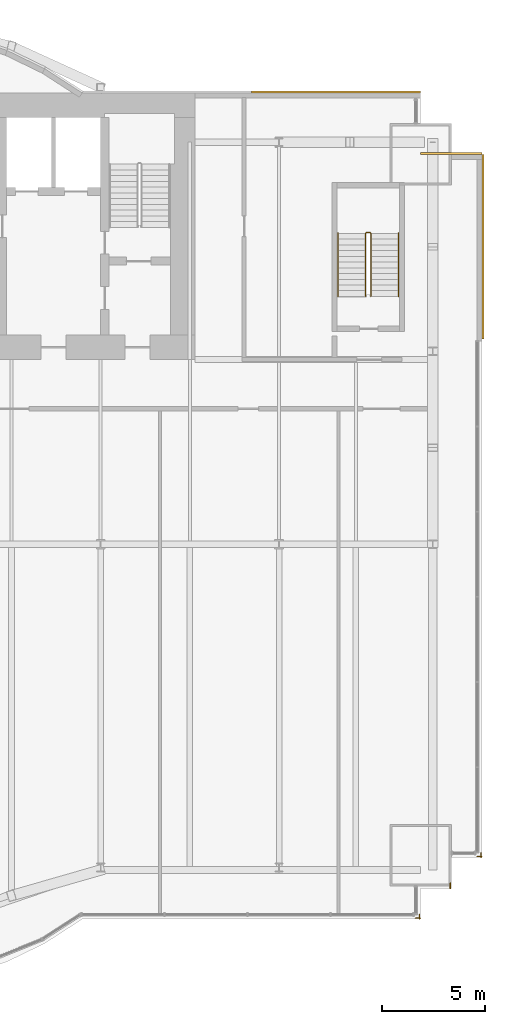
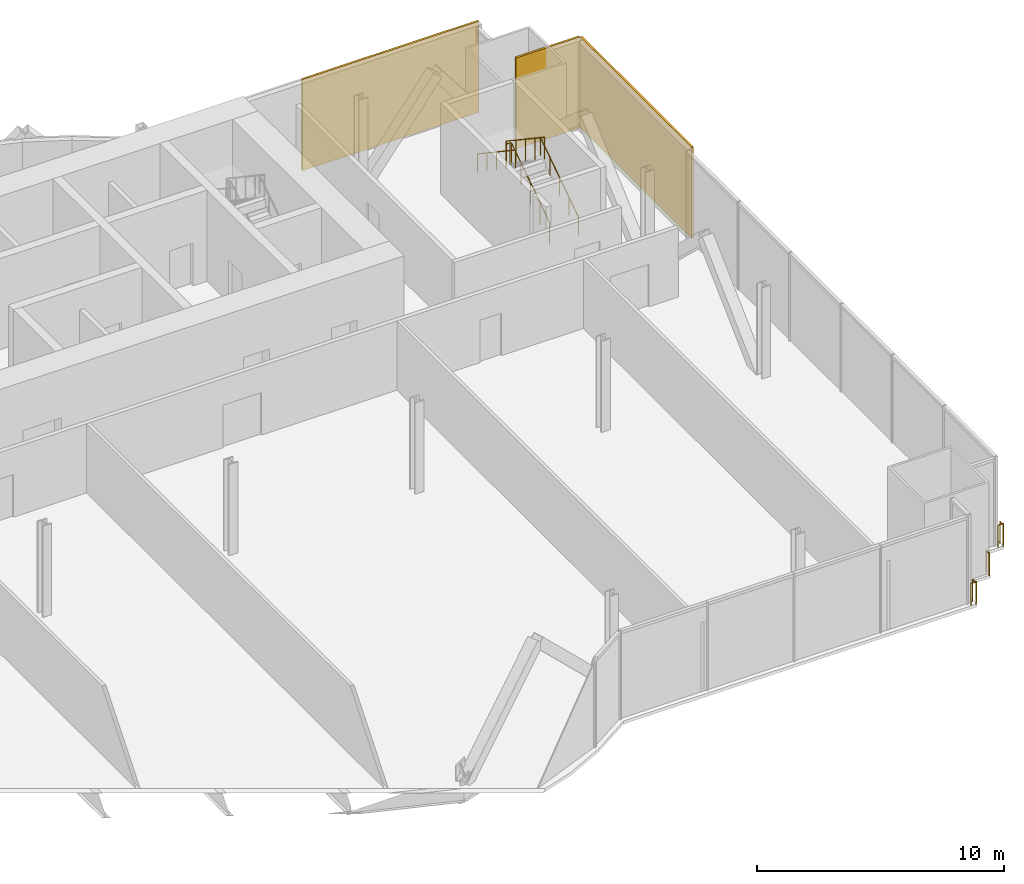
# One storey, part 21 of 21: 6 railings, 3 coverings.
"""IFC4 building model written with IfcOpenShell, lengths in metres."""

from ifc_helpers import new_model, si_unit, direction, frame, origin, origin_2d, place, context, subcontext, project, spatial, rectangle, circle, extrude, material, layer, layer_set, type_object, element, save


model = new_model("IFC4")

# Units and contexts
model_context = context("Model", 3, precision=1e-05, world=origin(), true_north=direction((0.0, 1.0)))
body_context = subcontext(model_context, "Body", "Model", "MODEL_VIEW")
ifc_project = project(units=[si_unit("LENGTHUNIT", "METRE"), si_unit("AREAUNIT", "SQUARE_METRE"), si_unit("VOLUMEUNIT", "CUBIC_METRE"), si_unit("PLANEANGLEUNIT", "RADIAN"), si_unit("MASSUNIT", "GRAM", prefix="KILO")], contexts=[model_context])

# Site, building, storey
site_placement = place(None, origin())
site = spatial("IfcSite", under=ifc_project, at=site_placement, CompositionType="ELEMENT")
building_placement = place(site_placement, origin())
building = spatial("IfcBuilding", under=site, at=building_placement, Name="Bicima Exchange Tower", CompositionType="ELEMENT")
storey_placement = place(building_placement, frame((0.0, 0.0, 66.5)))
storey = spatial("IfcBuildingStorey", under=building, at=storey_placement, Name="L13", CompositionType="ELEMENT", Elevation=66.5)

# Coverings
ifc_material_1 = material(Name="Bronze metal cladding")
ifc_layer_1 = layer(ifc_material_1, 0.004)
ifc_material_2 = material(Name="Ventilated cavity")
ifc_layer_2 = layer(ifc_material_2, 0.06)
ifc_material_3 = material(Name="Galvanised steel rail and mineral wool", Category="steel")
ifc_layer_3 = layer(ifc_material_3, 0.036)
ifc_layer_set = layer_set([ifc_layer_1, ifc_layer_2, ifc_layer_3], Name="Ventilated cavity")
covering_type = type_object("IfcCoveringType", Name="Bronze metal cladding panel 100", PredefinedType="CLADDING", material=ifc_layer_set)
covering_1_placement = place(storey_placement, frame((28.875, 0.050048828125, -0.14990234375), z_axis=(0.0, 0.0, 1.0), x_axis=(-1.0, 0.0, 0.0)))
element("IfcCovering", 1, at=covering_1_placement, inside=storey, type_object=covering_type, Name="Bronze cladding L13 1.1", PredefinedType="CLADDING", context=body_context, shape_type="SweptSolid", body=[
    extrude(rectangle(XDim=8.25, YDim=0.10009765625, at=origin_2d()), origin(), (0.0, 0.0, 1.0), 4.5),
])
covering_2_placement = place(storey_placement, frame((36.050048828125, -7.5, -0.14990234375), z_axis=(0.0, 0.0, 1.0), x_axis=(0.0, 1.0, 0.0)))
element("IfcCovering", 2, at=covering_2_placement, inside=storey, type_object=covering_type, Name="Bronze cladding L13 50.1", PredefinedType="CLADDING", context=body_context, shape_type="SweptSolid", body=[
    extrude(rectangle(XDim=9.0, YDim=0.10009765625, at=origin_2d()), origin(), (0.0, 0.0, 1.0), 4.5),
])
covering_3_placement = place(storey_placement, frame((34.5, -2.949951171875, -0.14990234375), z_axis=(0.0, 0.0, 1.0), x_axis=(-1.0, 0.0, 0.0)))
element("IfcCovering", 3, at=covering_3_placement, inside=storey, type_object=covering_type, Name="Bronze cladding L13 51.1", PredefinedType="CLADDING", context=body_context, shape_type="SweptSolid", body=[
    extrude(rectangle(XDim=3.0, YDim=0.10009765625, at=origin_2d()), origin(), (0.0, 0.0, 1.0), 4.5),
])

# Railings
ifc_material_4 = material(Name="Stainless steel and bonded safety glass", Category="steel")
railing_type_1 = type_object("IfcRailingType", Name="Edge guard 1100", PredefinedType="GUARDRAIL", material=ifc_material_4)
railing_1_placement = place(storey_placement, frame((35.949951171875, -37.0439453125, 0.0)))
element("IfcRailing", 4, at=railing_1_placement, inside=storey, type_object=railing_type_1, Name="Edge guard L13 58", PredefinedType="GUARDRAIL", context=body_context, shape_type="SweptSolid", body=[
    extrude(circle(Radius=0.02392578125, at=origin_2d()), frame((0.0, 0.0, 1.076171875), z_axis=(0.0, -1.0, 0.0), x_axis=(1.0, 0.0, 0.0)), (0.0, 0.0, 1.0), 0.248046875),
    extrude(circle(Radius=0.02392578125, at=origin_2d()), frame((0.0, -0.248046875, 1.076171875), z_axis=(0.707106781187, 0.707106781187, 0.0), x_axis=(-0.707106781187, 0.707106781187, 0.0)), (0.0, 0.0, 1.0), 0.07080078125),
    extrude(circle(Radius=0.02392578125, at=origin_2d()), frame((0.050048828125, -0.197998046875, 1.076171875), z_axis=(-1.0, 0.0, 0.0), x_axis=(0.0, -1.0, 0.0)), (0.0, 0.0, 1.0), 0.25),
    extrude(circle(Radius=0.02099609375, at=origin_2d()), origin(), (0.0, 0.0, 1.0), 1.052001953125),
    extrude(circle(Radius=0.02099609375, at=origin_2d()), frame((0.0, -0.248046875, 0.0)), (0.0, 0.0, 1.0), 1.052001953125),
    extrude(circle(Radius=0.02099609375, at=origin_2d()), frame((0.050048828125, -0.197998046875, 0.0)), (0.0, 0.0, 1.0), 1.052001953125),
    extrude(circle(Radius=0.02099609375, at=origin_2d()), frame((-0.199951171875, -0.197998046875, 0.0)), (0.0, 0.0, 1.0), 1.052001953125),
])
railing_2_placement = place(storey_placement, frame((34.449951171875, -38.5419921875, 0.0)))
element("IfcRailing", 5, at=railing_2_placement, inside=storey, type_object=railing_type_1, Name="Edge guard L13 59", PredefinedType="GUARDRAIL", context=body_context, shape_type="SweptSolid", body=[
    extrude(circle(Radius=0.02392578125, at=origin_2d()), frame((0.0, 0.0, 1.076171875), z_axis=(0.0, -1.0, 0.0), x_axis=(1.0, 0.0, 0.0)), (0.0, 0.0, 1.0), 0.25),
    extrude(circle(Radius=0.02099609375, at=origin_2d()), origin(), (0.0, 0.0, 1.0), 1.052001953125),
    extrude(circle(Radius=0.02099609375, at=origin_2d()), frame((0.0, -0.25, 0.0)), (0.0, 0.0, 1.0), 1.052001953125),
])
railing_3_placement = place(storey_placement, frame((32.949951171875, -40.0419921875, 0.0)))
element("IfcRailing", 6, at=railing_3_placement, inside=storey, type_object=railing_type_1, Name="Edge guard L13 60", PredefinedType="GUARDRAIL", context=body_context, shape_type="SweptSolid", body=[
    extrude(circle(Radius=0.02392578125, at=origin_2d()), frame((0.0, 0.0, 1.076171875), z_axis=(0.0, -1.0, 0.0), x_axis=(1.0, 0.0, 0.0)), (0.0, 0.0, 1.0), 0.25),
    extrude(circle(Radius=0.02392578125, at=origin_2d()), frame((0.0, -0.25, 1.076171875), z_axis=(0.707106781187, 0.707106781187, 0.0), x_axis=(-0.707106781187, 0.707106781187, 0.0)), (0.0, 0.0, 1.0), 0.07080078125),
    extrude(circle(Radius=0.02392578125, at=origin_2d()), frame((0.050048828125, -0.199951171875, 1.076171875), z_axis=(-1.0, 0.0, 0.0), x_axis=(0.0, -1.0, 0.0)), (0.0, 0.0, 1.0), 0.25),
    extrude(circle(Radius=0.02099609375, at=origin_2d()), origin(), (0.0, 0.0, 1.0), 1.052001953125),
    extrude(circle(Radius=0.02099609375, at=origin_2d()), frame((0.0, -0.25, 0.0)), (0.0, 0.0, 1.0), 1.052001953125),
    extrude(circle(Radius=0.02099609375, at=origin_2d()), frame((0.050048828125, -0.199951171875, 0.0)), (0.0, 0.0, 1.0), 1.052001953125),
    extrude(circle(Radius=0.02099609375, at=origin_2d()), frame((-0.199951171875, -0.199951171875, 0.0)), (0.0, 0.0, 1.0), 1.052001953125),
])
ifc_material_5 = material(Name="Stainless steel", Category="steel")
railing_type_2 = type_object("IfcRailingType", Name="Stair guard 1100", PredefinedType="GUARDRAIL", material=ifc_material_5)
railing_4_placement = place(storey_placement, frame((30.574951171875, -9.925048828125, 0.1875)))
element("IfcRailing", 7, at=railing_4_placement, inside=storey, type_object=railing_type_2, Name="L13 ST-EE stair guard 1", PredefinedType="GUARDRAIL", context=body_context, shape_type="SweptSolid", body=[
    extrude(circle(Radius=0.02392578125, at=origin_2d()), frame((0.0, 0.0, 1.076171875), z_axis=(0.0, 0.830913701846, 0.55640131208), x_axis=(-1.0, 0.0, 0.0)), (0.0, 0.0, 1.0), 3.706787109375),
    extrude(circle(Radius=0.02392578125, at=origin_2d()), frame((0.0, 3.080078125, 3.138671875), z_axis=(-0.707106781187, 0.707106781187, 0.0), x_axis=(-0.707106781187, -0.707106781187, 0.0)), (0.0, 0.0, 1.0), 0.07080078125),
    extrude(circle(Radius=0.02392578125, at=origin_2d()), frame((-0.050048828125, 3.130126953125, 3.138671875), z_axis=(-1.0, 0.0, 0.0), x_axis=(0.0, -1.0, 0.0)), (0.0, 0.0, 1.0), 0.14990234375),
    extrude(circle(Radius=0.02392578125, at=origin_2d()), frame((-0.199951171875, 3.130126953125, 3.138671875), z_axis=(-0.249726431254, -0.249726431254, 0.935560483917), x_axis=(0.707106781187, -0.707106781187, 0.0)), (0.0, 0.0, 1.0), 0.200439453125),
    extrude(circle(Radius=0.02392578125, at=origin_2d()), frame((-0.25, 3.080078125, 3.326171875), z_axis=(0.0, -0.830913701846, 0.55640131208), x_axis=(1.0, 0.0, 0.0)), (0.0, 0.0, 1.0), 3.706787109375),
    extrude(circle(Radius=0.02099609375, at=origin_2d()), origin(), (0.0, 0.0, 1.0), 1.052001953125),
    extrude(circle(Radius=0.02099609375, at=origin_2d()), frame((0.0, 0.77001953125, 0.515625)), (0.0, 0.0, 1.0), 1.052001953125),
    extrude(circle(Radius=0.02099609375, at=origin_2d()), frame((0.0, 1.5400390625, 1.03125)), (0.0, 0.0, 1.0), 1.052001953125),
    extrude(circle(Radius=0.02099609375, at=origin_2d()), frame((0.0, 2.31005859375, 1.546875)), (0.0, 0.0, 1.0), 1.052001953125),
    extrude(circle(Radius=0.02099609375, at=origin_2d()), frame((0.0, 3.080078125, 2.0625)), (0.0, 0.0, 1.0), 1.052001953125),
    extrude(circle(Radius=0.02099609375, at=origin_2d()), frame((-0.050048828125, 3.130126953125, 2.0625)), (0.0, 0.0, 1.0), 1.052001953125),
    extrude(circle(Radius=0.02099609375, at=origin_2d()), frame((-0.199951171875, 3.130126953125, 2.0625)), (0.0, 0.0, 1.0), 1.052001953125),
    extrude(circle(Radius=0.02099609375, at=origin_2d()), frame((-0.25, 3.080078125, 2.25)), (0.0, 0.0, 1.0), 1.052001953125),
    extrude(circle(Radius=0.02099609375, at=origin_2d()), frame((-0.25, 2.31005859375, 2.765625)), (0.0, 0.0, 1.0), 1.052001953125),
    extrude(circle(Radius=0.02099609375, at=origin_2d()), frame((-0.25, 1.5400390625, 3.28125)), (0.0, 0.0, 1.0), 1.052001953125),
    extrude(circle(Radius=0.02099609375, at=origin_2d()), frame((-0.25, 0.77001953125, 3.796875)), (0.0, 0.0, 1.0), 1.052001953125),
    extrude(circle(Radius=0.02099609375, at=origin_2d()), frame((-0.25, 0.0, 4.3125)), (0.0, 0.0, 1.0), 1.052001953125),
])
railing_type_3 = type_object("IfcRailingType", Name="Stair handrail 900", PredefinedType="HANDRAIL", material=ifc_material_5)
railing_5_placement = place(storey_placement, frame((31.925048828125, -9.925048828125, 0.1875)))
element("IfcRailing", 8, at=railing_5_placement, inside=storey, type_object=railing_type_3, Name="L13 ST-EE stair handrail 1", PredefinedType="HANDRAIL", context=body_context, shape_type="SweptSolid", body=[
    extrude(circle(Radius=0.02392578125, at=origin_2d()), frame((0.0, 0.0, 0.8759765625), z_axis=(0.0, 0.830913701846, 0.55640131208), x_axis=(-1.0, 0.0, 0.0)), (0.0, 0.0, 1.0), 3.706787109375),
    extrude(circle(Radius=0.02099609375, at=origin_2d()), origin(), (0.0, 0.0, 1.0), 0.851806640625),
    extrude(circle(Radius=0.02099609375, at=origin_2d()), frame((0.0, 0.77001953125, 0.515625)), (0.0, 0.0, 1.0), 0.851806640625),
    extrude(circle(Radius=0.02099609375, at=origin_2d()), frame((0.0, 1.5400390625, 1.03125)), (0.0, 0.0, 1.0), 0.851806640625),
    extrude(circle(Radius=0.02099609375, at=origin_2d()), frame((0.0, 2.31005859375, 1.546875)), (0.0, 0.0, 1.0), 0.851806640625),
    extrude(circle(Radius=0.02099609375, at=origin_2d()), frame((0.0, 3.080078125, 2.0625)), (0.0, 0.0, 1.0), 0.851806640625),
])
railing_6_placement = place(storey_placement, frame((28.97509765625, -6.844970703125, 2.47900390625)))
element("IfcRailing", 9, at=railing_6_placement, inside=storey, type_object=railing_type_3, Name="L13 ST-EE stair handrail 2", PredefinedType="HANDRAIL", context=body_context, shape_type="SweptSolid", body=[
    extrude(circle(Radius=0.02392578125, at=origin_2d()), frame((0.0, 0.0, 0.8759765625), z_axis=(0.0, -0.830913701846, 0.55640131208), x_axis=(1.0, 0.0, 0.0)), (0.0, 0.0, 1.0), 3.706787109375),
    extrude(circle(Radius=0.02099609375, at=origin_2d()), origin(), (0.0, 0.0, 1.0), 0.851806640625),
    extrude(circle(Radius=0.02099609375, at=origin_2d()), frame((0.0, -0.77001953125, 0.515625)), (0.0, 0.0, 1.0), 0.851806640625),
    extrude(circle(Radius=0.02099609375, at=origin_2d()), frame((0.0, -1.5400390625, 1.03125)), (0.0, 0.0, 1.0), 0.851806640625),
    extrude(circle(Radius=0.02099609375, at=origin_2d()), frame((0.0, -2.31005859375, 1.546875)), (0.0, 0.0, 1.0), 0.851806640625),
    extrude(circle(Radius=0.02099609375, at=origin_2d()), frame((0.0, -3.080078125, 2.0625)), (0.0, 0.0, 1.0), 0.851806640625),
])

save(model, "model.ifc")
